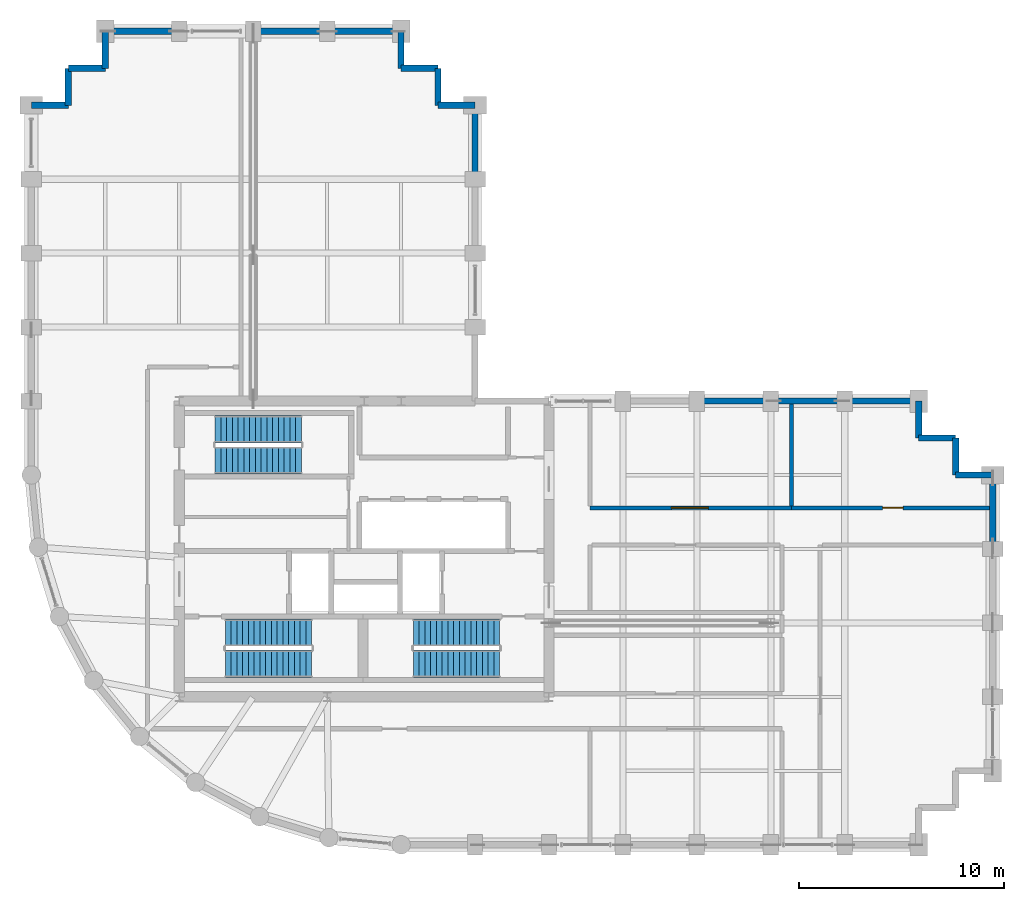
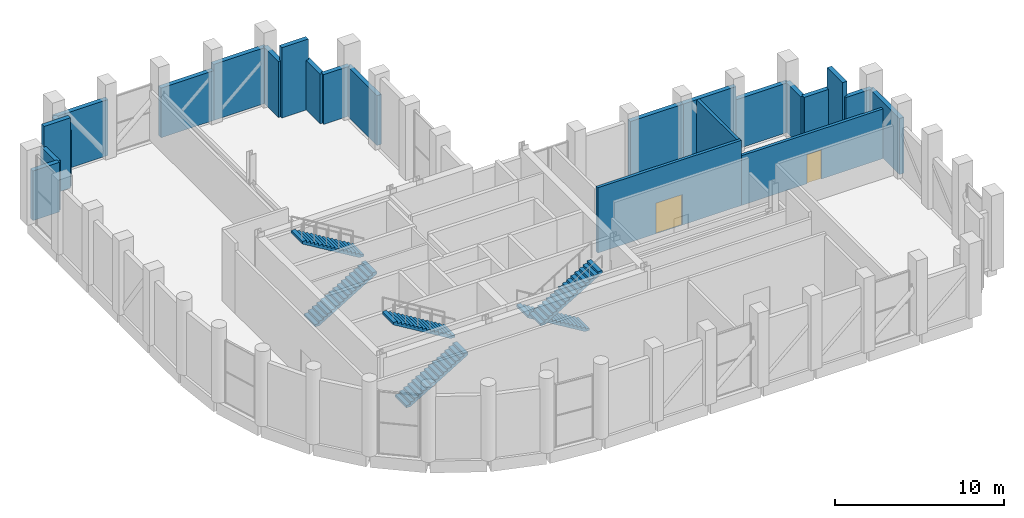
# One storey, part 18 of 19: 23 walls, 6 stair flights, 2 doors, 2 openings, 3 elements without a shape of their own.
"""IFC4 building model written with IfcOpenShell, lengths in metres."""

from ifc_helpers import new_model, si_unit, direction, frame, frame_2d, origin, place, context, subcontext, project, spatial, polyline, rectangle, outline, extrude, material, layer, layer_set, type_object, element, fill, aggregate, save


model = new_model("IFC4")

# Units and contexts
model_context = context("Model", 3, precision=1e-05, world=origin(), true_north=direction((0.0, 1.0)))
body_context = subcontext(model_context, "Body", "Model", "MODEL_VIEW")
ifc_project = project(units=[si_unit("LENGTHUNIT", "METRE"), si_unit("AREAUNIT", "SQUARE_METRE"), si_unit("VOLUMEUNIT", "CUBIC_METRE"), si_unit("PLANEANGLEUNIT", "RADIAN"), si_unit("MASSUNIT", "GRAM", prefix="KILO")], contexts=[model_context])

# Site, building, storey
site_placement = place(None, origin())
site = spatial("IfcSite", under=ifc_project, at=site_placement, CompositionType="ELEMENT")
building_placement = place(site_placement, origin())
building = spatial("IfcBuilding", under=site, at=building_placement, Name="Solnavia Interchange Tower", CompositionType="ELEMENT")
storey_placement = place(building_placement, frame((0.0, 0.0, 169.39990234375)))
storey = spatial("IfcBuildingStorey", under=building, at=storey_placement, Name="L42", CompositionType="ELEMENT", Elevation=169.39990234375)

# Walls
ifc_material_1 = material(Name="Concrete C40/50", Category="concrete")
ifc_layer_1 = layer(ifc_material_1, 0.300048828125)
ifc_layer_set_1 = layer_set([ifc_layer_1], Name="Concrete C40/50")
wall_type_1 = type_object("IfcWallType", Name="Wall-ExtSpandrel-300", PredefinedType="STANDARD", material=ifc_layer_set_1)
wall_1_placement = place(storey_placement, frame((54.0, 21.60009765625, 0.0), z_axis=(0.0, 0.0, 1.0), x_axis=(0.0, -1.0, 0.0)))
element("IfcWall", 1, at=wall_1_placement, inside=storey, type_object=wall_type_1, Name="EXW-L42-15 Exterior precast spandrel wall", PredefinedType="STANDARD", context=body_context, shape_type="SweptSolid", body=[
    extrude(rectangle(XDim=3.60009765625, YDim=0.300048828125, at=frame_2d((1.800048828125, 0.0))), origin(), (0.0, 0.0, 1.0), 4.030029296875),
])
wall_2_placement = place(storey_placement, frame((52.199951171875, 21.60009765625, 0.0), z_axis=(0.0, 0.0, 1.0), x_axis=(1.0, 0.0, 0.0)))
element("IfcWall", 2, at=wall_2_placement, inside=storey, type_object=wall_type_1, Name="EXW-L42-16 Exterior precast spandrel wall", PredefinedType="STANDARD", context=body_context, shape_type="SweptSolid", body=[
    extrude(rectangle(XDim=1.800048828125, YDim=0.300048828125, at=frame_2d((0.89990234375, 0.0))), origin(), (0.0, 0.0, 1.0), 4.030029296875),
])
wall_3_placement = place(storey_placement, frame((52.199951171875, 23.39990234375, 0.0), z_axis=(0.0, 0.0, 1.0), x_axis=(0.0, -1.0, 0.0)))
element("IfcWall", 3, at=wall_3_placement, inside=storey, type_object=wall_type_1, Name="EXW-L42-17 Exterior precast spandrel wall", PredefinedType="STANDARD", context=body_context, shape_type="SweptSolid", body=[
    extrude(rectangle(XDim=1.7998046875, YDim=0.300048828125, at=frame_2d((0.89990234375, 0.0))), origin(), (0.0, 0.0, 1.0), 5.065185546875),
])
for number, where, z_axis, x_axis, name in (
    (4, (50.39990234375, 23.39990234375, 0.0), (0.0, 0.0, 1.0), (1.0, 0.0, 0.0), "EXW-L42-18 Exterior precast spandrel wall"),
    (5, (50.39990234375, 25.199951171875, 0.0), (0.0, 0.0, 1.0), (0.0, -1.0, 0.0), "EXW-L42-19 Exterior precast spandrel wall"),
):
    element("IfcWall", number, at=place(storey_placement, frame(where, z_axis=z_axis, x_axis=x_axis)), inside=storey, type_object=wall_type_1, Name=name, PredefinedType="STANDARD", context=body_context, shape_type="SweptSolid", body=[
        extrude(rectangle(XDim=1.800048828125, YDim=0.300048828125, at=frame_2d((0.89990234375, 0.0))), origin(), (0.0, 0.0, 1.0), 3.580078125),
    ])
wall_4_placement = place(storey_placement, frame((46.800048828125, 25.199951171875, 0.0), z_axis=(0.0, 0.0, 1.0), x_axis=(1.0, 0.0, 0.0)))
element("IfcWall", 6, at=wall_4_placement, inside=storey, type_object=wall_type_1, Name="EXW-L42-20 Exterior precast spandrel wall", PredefinedType="STANDARD", context=body_context, shape_type="SweptSolid", body=[
    extrude(rectangle(XDim=3.599853515625, YDim=0.300048828125, at=frame_2d((1.7998046875, 0.0))), origin(), (0.0, 0.0, 1.0), 3.580078125),
])
wall_5_placement = place(storey_placement, frame((43.199951171875, 25.199951171875, 0.0), z_axis=(0.0, 0.0, 1.0), x_axis=(1.0, 0.0, 0.0)))
element("IfcWall", 7, at=wall_5_placement, inside=storey, type_object=wall_type_1, Name="EXW-L42-21 Exterior precast spandrel wall", PredefinedType="STANDARD", context=body_context, shape_type="SweptSolid", body=[
    extrude(rectangle(XDim=3.60009765625, YDim=0.300048828125, at=frame_2d((1.800048828125, 0.0))), origin(), (0.0, 0.0, 1.0), 4.530029296875),
])
wall_6_placement = place(storey_placement, frame((39.60009765625, 25.199951171875, 0.0), z_axis=(0.0, 0.0, 1.0), x_axis=(1.0, 0.0, 0.0)))
element("IfcWall", 8, at=wall_6_placement, inside=storey, type_object=wall_type_1, Name="EXW-L42-22 Exterior precast spandrel wall", PredefinedType="STANDARD", context=body_context, shape_type="SweptSolid", body=[
    extrude(rectangle(XDim=3.599853515625, YDim=0.300048828125, at=frame_2d((1.7998046875, 0.0))), origin(), (0.0, 0.0, 1.0), 4.530029296875),
])
wall_7_placement = place(storey_placement, frame((28.800048828125, 39.60009765625, 0.0), z_axis=(0.0, 0.0, 1.0), x_axis=(0.0, -1.0, 0.0)))
element("IfcWall", 9, at=wall_7_placement, inside=storey, type_object=wall_type_1, Name="EXW-L42-29 Exterior precast spandrel wall", PredefinedType="STANDARD", context=body_context, shape_type="SweptSolid", body=[
    extrude(rectangle(XDim=3.60009765625, YDim=0.300048828125, at=frame_2d((1.800048828125, 0.0))), origin(), (0.0, 0.0, 1.0), 3.580078125),
])
wall_8_placement = place(storey_placement, frame((27.0, 39.60009765625, 0.0), z_axis=(0.0, 0.0, 1.0), x_axis=(1.0, 0.0, 0.0)))
element("IfcWall", 10, at=wall_8_placement, inside=storey, type_object=wall_type_1, Name="EXW-L42-30 Exterior precast spandrel wall", PredefinedType="STANDARD", context=body_context, shape_type="SweptSolid", body=[
    extrude(rectangle(XDim=1.800048828125, YDim=0.300048828125, at=frame_2d((0.89990234375, 0.0))), origin(), (0.0, 0.0, 1.0), 3.580078125),
])
wall_9_placement = place(storey_placement, frame((27.0, 39.60009765625, 0.0), z_axis=(0.0, 0.0, 1.0), x_axis=(0.0, 1.0, 0.0)))
element("IfcWall", 11, at=wall_9_placement, inside=storey, type_object=wall_type_1, Name="EXW-L42-31 Exterior precast spandrel wall", PredefinedType="STANDARD", context=body_context, shape_type="SweptSolid", body=[
    extrude(rectangle(XDim=1.7998046875, YDim=0.300048828125, at=frame_2d((0.89990234375, 0.0))), origin(), (0.0, 0.0, 1.0), 3.580078125),
])
wall_10_placement = place(storey_placement, frame((25.199951171875, 41.39990234375, 0.0), z_axis=(0.0, 0.0, 1.0), x_axis=(1.0, 0.0, 0.0)))
element("IfcWall", 12, at=wall_10_placement, inside=storey, type_object=wall_type_1, Name="EXW-L42-32 Exterior precast spandrel wall", PredefinedType="STANDARD", context=body_context, shape_type="SweptSolid", body=[
    extrude(rectangle(XDim=1.800048828125, YDim=0.300048828125, at=frame_2d((0.89990234375, 0.0))), origin(), (0.0, 0.0, 1.0), 5.065185546875),
])
wall_11_placement = place(storey_placement, frame((25.199951171875, 41.39990234375, 0.0), z_axis=(0.0, 0.0, 1.0), x_axis=(0.0, 1.0, 0.0)))
element("IfcWall", 13, at=wall_11_placement, inside=storey, type_object=wall_type_1, Name="EXW-L42-33 Exterior precast spandrel wall", PredefinedType="STANDARD", context=body_context, shape_type="SweptSolid", body=[
    extrude(rectangle(XDim=1.800048828125, YDim=0.300048828125, at=frame_2d((0.89990234375, 0.0))), origin(), (0.0, 0.0, 1.0), 4.030029296875),
])
wall_12_placement = place(storey_placement, frame((21.60009765625, 43.199951171875, 0.0), z_axis=(0.0, 0.0, 1.0), x_axis=(1.0, 0.0, 0.0)))
element("IfcWall", 14, at=wall_12_placement, inside=storey, type_object=wall_type_1, Name="EXW-L42-34 Exterior precast spandrel wall", PredefinedType="STANDARD", context=body_context, shape_type="SweptSolid", body=[
    extrude(rectangle(XDim=3.599853515625, YDim=0.300048828125, at=frame_2d((1.7998046875, 0.0))), origin(), (0.0, 0.0, 1.0), 4.030029296875),
])
wall_13_placement = place(storey_placement, frame((18.0, 43.199951171875, 0.0), z_axis=(0.0, 0.0, 1.0), x_axis=(1.0, 0.0, 0.0)))
element("IfcWall", 15, at=wall_13_placement, inside=storey, type_object=wall_type_1, Name="EXW-L42-35 Exterior precast spandrel wall", PredefinedType="STANDARD", context=body_context, shape_type="SweptSolid", body=[
    extrude(rectangle(XDim=3.60009765625, YDim=0.300048828125, at=frame_2d((1.800048828125, 0.0))), origin(), (0.0, 0.0, 1.0), 3.580078125),
])
wall_14_placement = place(storey_placement, frame((10.800048828125, 43.199951171875, 0.0), z_axis=(0.0, 0.0, 1.0), x_axis=(1.0, 0.0, 0.0)))
element("IfcWall", 16, at=wall_14_placement, inside=storey, type_object=wall_type_1, Name="EXW-L42-37 Exterior precast spandrel wall", PredefinedType="STANDARD", context=body_context, shape_type="SweptSolid", body=[
    extrude(rectangle(XDim=3.599853515625, YDim=0.300048828125, at=frame_2d((1.7998046875, 0.0))), origin(), (0.0, 0.0, 1.0), 4.030029296875),
])
wall_15_placement = place(storey_placement, frame((10.800048828125, 41.39990234375, 0.0), z_axis=(0.0, 0.0, 1.0), x_axis=(0.0, 1.0, 0.0)))
element("IfcWall", 17, at=wall_15_placement, inside=storey, type_object=wall_type_1, Name="EXW-L42-38 Exterior precast spandrel wall", PredefinedType="STANDARD", context=body_context, shape_type="SweptSolid", body=[
    extrude(rectangle(XDim=1.800048828125, YDim=0.300048828125, at=frame_2d((0.89990234375, 0.0))), origin(), (0.0, 0.0, 1.0), 4.030029296875),
])
wall_16_placement = place(storey_placement, frame((9.0, 41.39990234375, 0.0), z_axis=(0.0, 0.0, 1.0), x_axis=(1.0, 0.0, 0.0)))
element("IfcWall", 18, at=wall_16_placement, inside=storey, type_object=wall_type_1, Name="EXW-L42-39 Exterior precast spandrel wall", PredefinedType="STANDARD", context=body_context, shape_type="SweptSolid", body=[
    extrude(rectangle(XDim=1.800048828125, YDim=0.300048828125, at=frame_2d((0.89990234375, 0.0))), origin(), (0.0, 0.0, 1.0), 5.065185546875),
])
wall_17_placement = place(storey_placement, frame((9.0, 39.60009765625, 0.0), z_axis=(0.0, 0.0, 1.0), x_axis=(0.0, 1.0, 0.0)))
element("IfcWall", 19, at=wall_17_placement, inside=storey, type_object=wall_type_1, Name="EXW-L42-40 Exterior precast spandrel wall", PredefinedType="STANDARD", context=body_context, shape_type="SweptSolid", body=[
    extrude(rectangle(XDim=1.7998046875, YDim=0.300048828125, at=frame_2d((0.89990234375, 0.0))), origin(), (0.0, 0.0, 1.0), 3.580078125),
])
wall_18_placement = place(storey_placement, frame((7.199951171875, 39.60009765625, 0.0), z_axis=(0.0, 0.0, 1.0), x_axis=(1.0, 0.0, 0.0)))
element("IfcWall", 20, at=wall_18_placement, inside=storey, type_object=wall_type_1, Name="EXW-L42-41 Exterior precast spandrel wall", PredefinedType="STANDARD", context=body_context, shape_type="SweptSolid", body=[
    extrude(rectangle(XDim=1.800048828125, YDim=0.300048828125, at=frame_2d((0.89990234375, 0.0))), origin(), (0.0, 0.0, 1.0), 3.580078125),
])

# Wall, opening, door
ifc_layer_2 = layer(ifc_material_1, 0.199951171875)
ifc_layer_set_2 = layer_set([ifc_layer_2], Name="Concrete C40/50")
wall_type_2 = type_object("IfcWallType", Name="Wall-PlantFire-200", PredefinedType="PARTITIONING", material=ifc_layer_set_2)
wall_19_placement = place(storey_placement, frame((34.39990234375, 20.0, 0.0), z_axis=(0.0, 0.0, 1.0), x_axis=(1.0, 0.0, 0.0)))
wall_19 = element("IfcWall", 21, at=wall_19_placement, inside=storey, type_object=wall_type_2, Name="PTW-L42-18 Interior partition wall", PredefinedType="PARTITIONING", context=body_context, shape_type="SweptSolid", body=[
    extrude(rectangle(XDim=9.800048828125, YDim=0.199951171875, at=frame_2d((4.89990234375, 0.0))), origin(), (0.0, 0.0, 1.0), 4.7001953125),
])
opening_1_placement = place(wall_19_placement, frame((3.9599609375, 0.0, 0.0)))
opening_1 = element("IfcOpeningElement", 22, at=opening_1_placement, cuts=wall_19, Name="Opening DR-05", PredefinedType="OPENING", context=body_context, shape_type="SweptSolid", body=[
    extrude(rectangle(XDim=1.800048828125, YDim=2.199951171875, at=frame_2d((0.89990234375, 1.10009765625))), frame((0.0, 0.10986328125, 0.0), z_axis=(0.0, -1.0, 0.0), x_axis=(1.0, 0.0, 0.0)), (0.0, 0.0, 1.0), 0.219970703125),
])
ifc_material_2 = material(Name="Steel Double Fire Door", Category="steel")
door_type_1 = type_object("IfcDoorType", Name="Door-PlantDouble-1800x2200", OperationType="DOUBLE_DOOR_SINGLE_SWING", PredefinedType="DOOR", material=ifc_material_2)
door_1_placement = place(opening_1_placement, origin())
door_1 = element("IfcDoor", 23, at=door_1_placement, inside=storey, type_object=door_type_1, Name="DR-L42-07 Interior room door", OperationType="DOUBLE_DOOR_SINGLE_SWING", OverallHeight=2.199951171875, OverallWidth=1.800048828125, PredefinedType="DOOR", context=body_context, shape_type="SweptSolid", body=[
    extrude(rectangle(XDim=1.800048828125, YDim=2.199951171875, at=frame_2d((0.89990234375, 1.10009765625))), frame((0.0, 0.02490234375, 0.0), z_axis=(0.0, -1.0, 0.0), x_axis=(1.0, 0.0, 0.0)), (0.0, 0.0, 1.0), 0.050048828125),
])
fill(opening_1, door_1)

wall_20_placement = place(storey_placement, frame((44.199951171875, 20.0, 0.0), z_axis=(0.0, 0.0, 1.0), x_axis=(1.0, 0.0, 0.0)))
wall_20 = element("IfcWall", 24, at=wall_20_placement, inside=storey, type_object=wall_type_2, Name="PTW-L42-19 Interior partition wall", PredefinedType="PARTITIONING", context=body_context, shape_type="SweptSolid", body=[
    extrude(rectangle(XDim=9.64599609375, YDim=0.199951171875, at=frame_2d((4.822998046875, 0.0))), origin(), (0.0, 0.0, 1.0), 3.580078125),
])
opening_2_placement = place(wall_20_placement, frame((4.43994140625, 0.0, 0.0)))
opening_2 = element("IfcOpeningElement", 25, at=opening_2_placement, cuts=wall_20, Name="Opening DR-04", PredefinedType="OPENING", context=body_context, shape_type="SweptSolid", body=[
    extrude(rectangle(XDim=1.0, YDim=2.10009765625, at=frame_2d((0.5, 1.050048828125))), frame((0.0, 0.10986328125, 0.0), z_axis=(0.0, -1.0, 0.0), x_axis=(1.0, 0.0, 0.0)), (0.0, 0.0, 1.0), 0.219970703125),
])
ifc_material_3 = material(Name="Steel Fire-Rated Plant Door", Category="steel")
door_type_2 = type_object("IfcDoorType", Name="Door-PlantFire-1000x2100", OperationType="SINGLE_SWING_LEFT", PredefinedType="DOOR", material=ifc_material_3)
door_2_placement = place(opening_2_placement, origin())
door_2 = element("IfcDoor", 26, at=door_2_placement, inside=storey, type_object=door_type_2, Name="DR-L42-08 Interior room door", OperationType="SINGLE_SWING_RIGHT", OverallHeight=2.10009765625, OverallWidth=1.0, PredefinedType="DOOR", context=body_context, shape_type="SweptSolid", body=[
    extrude(rectangle(XDim=1.0, YDim=2.10009765625, at=frame_2d((0.5, 1.050048828125))), frame((0.0, 0.02490234375, 0.0), z_axis=(0.0, -1.0, 0.0), x_axis=(1.0, 0.0, 0.0)), (0.0, 0.0, 1.0), 0.050048828125),
])
fill(opening_2, door_2)

# Wall
wall_21_placement = place(storey_placement, frame((44.199951171875, 20.10400390625, 0.0), z_axis=(0.0, 0.0, 1.0), x_axis=(0.0, 1.0, 0.0)))
element("IfcWall", 27, at=wall_21_placement, inside=storey, type_object=wall_type_2, Name="PTW-L42-21 Interior partition wall", PredefinedType="PARTITIONING", context=body_context, shape_type="SweptSolid", body=[
    extrude(rectangle(XDim=4.94189453125, YDim=0.199951171875, at=frame_2d((2.470947265625, 0.0))), origin(), (0.0, 0.0, 1.0), 4.530029296875),
])

# Stair, stair flights
stair_type = type_object("IfcStairType", Name="Stair-Dogleg-RC", PredefinedType="HALF_TURN_STAIR", material=ifc_material_1)
stair_1_placement = place(storey_placement, origin())
stair_1 = element("IfcStair", 28, at=stair_1_placement, inside=storey, type_object=stair_type, Name="L42 Core exit stair 1", PredefinedType="HALF_TURN_STAIR")
stair_flight_type = type_object("IfcStairFlightType", Name="StairFlight-RC-150", PredefinedType="STRAIGHT", material=ifc_material_1)
stair_flight_1_placement = place(storey_placement, frame((16.64990234375, 12.409912109375, 0.0), z_axis=(0.0, 0.0, 1.0), x_axis=(1.0, 0.0, 0.0)))
stair_flight_1 = element("IfcStairFlight", 29, at=stair_flight_1_placement, type_object=stair_flight_type, Name="ST-1 flight 1", NumberOfRisers=16, NumberOfTreads=15, PredefinedType="STRAIGHT", RiserHeight=0.16875, TreadLength=0.28, context=body_context, shape_type="SweptSolid", body=[
    extrude(outline(polyline([(0.0, 0.0), (0.0, 0.168701171875), (0.280029296875, 0.168701171875), (0.280029296875, 0.33740234375), (0.56005859375, 0.33740234375), (0.56005859375, 0.50634765625), (0.840087890625, 0.50634765625), (0.840087890625, 0.675048828125), (1.1201171875, 0.675048828125), (1.1201171875, 0.84375), (1.39990234375, 0.84375), (1.39990234375, 1.012451171875), (1.679931640625, 1.012451171875), (1.679931640625, 1.18115234375), (1.9599609375, 1.18115234375), (1.9599609375, 1.35009765625), (2.239990234375, 1.35009765625), (2.239990234375, 1.518798828125), (2.52001953125, 1.518798828125), (2.52001953125, 1.6875), (2.800048828125, 1.6875), (2.800048828125, 1.856201171875), (3.080078125, 1.856201171875), (3.080078125, 2.02490234375), (3.360107421875, 2.02490234375), (3.360107421875, 2.19384765625), (3.639892578125, 2.19384765625), (3.639892578125, 2.362548828125), (3.919921875, 2.362548828125), (3.919921875, 2.53125), (4.199951171875, 2.53125), (4.199951171875, 2.699951171875), (4.199951171875, 2.356201171875), (0.29052734375, 0.0), (0.0, 0.0)])), frame((0.0, 0.66015625, 0.0), z_axis=(0.0, -1.0, 0.0), x_axis=(1.0, 0.0, 0.0)), (0.0, 0.0, 1.0), 1.320068359375),
])
stair_flight_2_placement = place(storey_placement, frame((20.85009765625, 13.929931640625, 2.7001953125), z_axis=(0.0, 0.0, 1.0), x_axis=(-1.0, 0.0, 0.0)))
stair_flight_2 = element("IfcStairFlight", 30, at=stair_flight_2_placement, type_object=stair_flight_type, Name="ST-1 flight 2", NumberOfRisers=16, NumberOfTreads=15, PredefinedType="STRAIGHT", RiserHeight=0.16875, TreadLength=0.28, context=body_context, shape_type="SweptSolid", body=[
    extrude(outline(polyline([(0.0, 0.0), (0.0, 0.168701171875), (0.280029296875, 0.168701171875), (0.280029296875, 0.33740234375), (0.56005859375, 0.33740234375), (0.56005859375, 0.50634765625), (0.840087890625, 0.50634765625), (0.840087890625, 0.675048828125), (1.1201171875, 0.675048828125), (1.1201171875, 0.84375), (1.39990234375, 0.84375), (1.39990234375, 1.012451171875), (1.679931640625, 1.012451171875), (1.679931640625, 1.18115234375), (1.9599609375, 1.18115234375), (1.9599609375, 1.35009765625), (2.239990234375, 1.35009765625), (2.239990234375, 1.518798828125), (2.52001953125, 1.518798828125), (2.52001953125, 1.6875), (2.800048828125, 1.6875), (2.800048828125, 1.856201171875), (3.080078125, 1.856201171875), (3.080078125, 2.02490234375), (3.360107421875, 2.02490234375), (3.360107421875, 2.19384765625), (3.639892578125, 2.19384765625), (3.639892578125, 2.362548828125), (3.919921875, 2.362548828125), (3.919921875, 2.53125), (4.199951171875, 2.53125), (4.199951171875, 2.699951171875), (4.199951171875, 2.356201171875), (0.29052734375, 0.0), (0.0, 0.0)])), frame((0.0, 0.66015625, 0.0), z_axis=(0.0, -1.0, 0.0), x_axis=(1.0, 0.0, 0.0)), (0.0, 0.0, 1.0), 1.320068359375),
])
aggregate(stair_1, [stair_flight_1, stair_flight_2])

stair_2_placement = place(storey_placement, origin())
stair_2 = element("IfcStair", 31, at=stair_2_placement, inside=storey, type_object=stair_type, Name="L42 Core exit stair 2", PredefinedType="HALF_TURN_STAIR")
stair_flight_3_placement = place(storey_placement, frame((30.0, 13.929931640625, 0.0), z_axis=(0.0, 0.0, 1.0), x_axis=(-1.0, 0.0, 0.0)))
stair_flight_3 = element("IfcStairFlight", 32, at=stair_flight_3_placement, type_object=stair_flight_type, Name="ST-2 flight 1", NumberOfRisers=16, NumberOfTreads=15, PredefinedType="STRAIGHT", RiserHeight=0.16875, TreadLength=0.28, context=body_context, shape_type="SweptSolid", body=[
    extrude(outline(polyline([(0.0, 0.0), (0.0, 0.168701171875), (0.280029296875, 0.168701171875), (0.280029296875, 0.33740234375), (0.56005859375, 0.33740234375), (0.56005859375, 0.50634765625), (0.840087890625, 0.50634765625), (0.840087890625, 0.675048828125), (1.1201171875, 0.675048828125), (1.1201171875, 0.84375), (1.39990234375, 0.84375), (1.39990234375, 1.012451171875), (1.679931640625, 1.012451171875), (1.679931640625, 1.18115234375), (1.9599609375, 1.18115234375), (1.9599609375, 1.35009765625), (2.239990234375, 1.35009765625), (2.239990234375, 1.518798828125), (2.52001953125, 1.518798828125), (2.52001953125, 1.6875), (2.800048828125, 1.6875), (2.800048828125, 1.856201171875), (3.080078125, 1.856201171875), (3.080078125, 2.02490234375), (3.360107421875, 2.02490234375), (3.360107421875, 2.19384765625), (3.639892578125, 2.19384765625), (3.639892578125, 2.362548828125), (3.919921875, 2.362548828125), (3.919921875, 2.53125), (4.199951171875, 2.53125), (4.199951171875, 2.699951171875), (4.199951171875, 2.356201171875), (0.29052734375, 0.0), (0.0, 0.0)])), frame((0.0, 0.66015625, 0.0), z_axis=(0.0, -1.0, 0.0), x_axis=(1.0, 0.0, 0.0)), (0.0, 0.0, 1.0), 1.320068359375),
])
stair_flight_4_placement = place(storey_placement, frame((25.800048828125, 12.409912109375, 2.7001953125), z_axis=(0.0, 0.0, 1.0), x_axis=(1.0, 0.0, 0.0)))
stair_flight_4 = element("IfcStairFlight", 33, at=stair_flight_4_placement, type_object=stair_flight_type, Name="ST-2 flight 2", NumberOfRisers=16, NumberOfTreads=15, PredefinedType="STRAIGHT", RiserHeight=0.16875, TreadLength=0.28, context=body_context, shape_type="SweptSolid", body=[
    extrude(outline(polyline([(0.0, 0.0), (0.0, 0.168701171875), (0.280029296875, 0.168701171875), (0.280029296875, 0.33740234375), (0.56005859375, 0.33740234375), (0.56005859375, 0.50634765625), (0.840087890625, 0.50634765625), (0.840087890625, 0.675048828125), (1.1201171875, 0.675048828125), (1.1201171875, 0.84375), (1.39990234375, 0.84375), (1.39990234375, 1.012451171875), (1.679931640625, 1.012451171875), (1.679931640625, 1.18115234375), (1.9599609375, 1.18115234375), (1.9599609375, 1.35009765625), (2.239990234375, 1.35009765625), (2.239990234375, 1.518798828125), (2.52001953125, 1.518798828125), (2.52001953125, 1.6875), (2.800048828125, 1.6875), (2.800048828125, 1.856201171875), (3.080078125, 1.856201171875), (3.080078125, 2.02490234375), (3.360107421875, 2.02490234375), (3.360107421875, 2.19384765625), (3.639892578125, 2.19384765625), (3.639892578125, 2.362548828125), (3.919921875, 2.362548828125), (3.919921875, 2.53125), (4.199951171875, 2.53125), (4.199951171875, 2.699951171875), (4.199951171875, 2.356201171875), (0.29052734375, 0.0), (0.0, 0.0)])), frame((0.0, 0.66015625, 0.0), z_axis=(0.0, -1.0, 0.0), x_axis=(1.0, 0.0, 0.0)), (0.0, 0.0, 1.0), 1.320068359375),
])
aggregate(stair_2, [stair_flight_3, stair_flight_4])

stair_3_placement = place(storey_placement, origin())
stair_3 = element("IfcStair", 34, at=stair_3_placement, inside=storey, type_object=stair_type, Name="L42 Core exit stair 3", PredefinedType="HALF_TURN_STAIR")
stair_flight_5_placement = place(storey_placement, frame((16.14990234375, 22.31005859375, 0.0), z_axis=(0.0, 0.0, 1.0), x_axis=(1.0, 0.0, 0.0)))
stair_flight_5 = element("IfcStairFlight", 35, at=stair_flight_5_placement, type_object=stair_flight_type, Name="ST-3 flight 1", NumberOfRisers=16, NumberOfTreads=15, PredefinedType="STRAIGHT", RiserHeight=0.16875, TreadLength=0.28, context=body_context, shape_type="SweptSolid", body=[
    extrude(outline(polyline([(0.0, 0.0), (0.0, 0.168701171875), (0.280029296875, 0.168701171875), (0.280029296875, 0.33740234375), (0.56005859375, 0.33740234375), (0.56005859375, 0.50634765625), (0.840087890625, 0.50634765625), (0.840087890625, 0.675048828125), (1.1201171875, 0.675048828125), (1.1201171875, 0.84375), (1.39990234375, 0.84375), (1.39990234375, 1.012451171875), (1.679931640625, 1.012451171875), (1.679931640625, 1.18115234375), (1.9599609375, 1.18115234375), (1.9599609375, 1.35009765625), (2.239990234375, 1.35009765625), (2.239990234375, 1.518798828125), (2.52001953125, 1.518798828125), (2.52001953125, 1.6875), (2.800048828125, 1.6875), (2.800048828125, 1.856201171875), (3.080078125, 1.856201171875), (3.080078125, 2.02490234375), (3.360107421875, 2.02490234375), (3.360107421875, 2.19384765625), (3.639892578125, 2.19384765625), (3.639892578125, 2.362548828125), (3.919921875, 2.362548828125), (3.919921875, 2.53125), (4.199951171875, 2.53125), (4.199951171875, 2.699951171875), (4.199951171875, 2.356201171875), (0.29052734375, 0.0), (0.0, 0.0)])), frame((0.0, 0.66015625, 0.0), z_axis=(0.0, -1.0, 0.0), x_axis=(1.0, 0.0, 0.0)), (0.0, 0.0, 1.0), 1.320068359375),
])
stair_flight_6_placement = place(storey_placement, frame((20.35009765625, 23.830078125, 2.7001953125), z_axis=(0.0, 0.0, 1.0), x_axis=(-1.0, 0.0, 0.0)))
stair_flight_6 = element("IfcStairFlight", 36, at=stair_flight_6_placement, type_object=stair_flight_type, Name="ST-3 flight 2", NumberOfRisers=16, NumberOfTreads=15, PredefinedType="STRAIGHT", RiserHeight=0.16875, TreadLength=0.28, context=body_context, shape_type="SweptSolid", body=[
    extrude(outline(polyline([(0.0, 0.0), (0.0, 0.168701171875), (0.280029296875, 0.168701171875), (0.280029296875, 0.33740234375), (0.56005859375, 0.33740234375), (0.56005859375, 0.50634765625), (0.840087890625, 0.50634765625), (0.840087890625, 0.675048828125), (1.1201171875, 0.675048828125), (1.1201171875, 0.84375), (1.39990234375, 0.84375), (1.39990234375, 1.012451171875), (1.679931640625, 1.012451171875), (1.679931640625, 1.18115234375), (1.9599609375, 1.18115234375), (1.9599609375, 1.35009765625), (2.239990234375, 1.35009765625), (2.239990234375, 1.518798828125), (2.52001953125, 1.518798828125), (2.52001953125, 1.6875), (2.800048828125, 1.6875), (2.800048828125, 1.856201171875), (3.080078125, 1.856201171875), (3.080078125, 2.02490234375), (3.360107421875, 2.02490234375), (3.360107421875, 2.19384765625), (3.639892578125, 2.19384765625), (3.639892578125, 2.362548828125), (3.919921875, 2.362548828125), (3.919921875, 2.53125), (4.199951171875, 2.53125), (4.199951171875, 2.699951171875), (4.199951171875, 2.356201171875), (0.29052734375, 0.0), (0.0, 0.0)])), frame((0.0, 0.66015625, 0.0), z_axis=(0.0, -1.0, 0.0), x_axis=(1.0, 0.0, 0.0)), (0.0, 0.0, 1.0), 1.320068359375),
])
aggregate(stair_3, [stair_flight_5, stair_flight_6])

save(model, "model.ifc")
